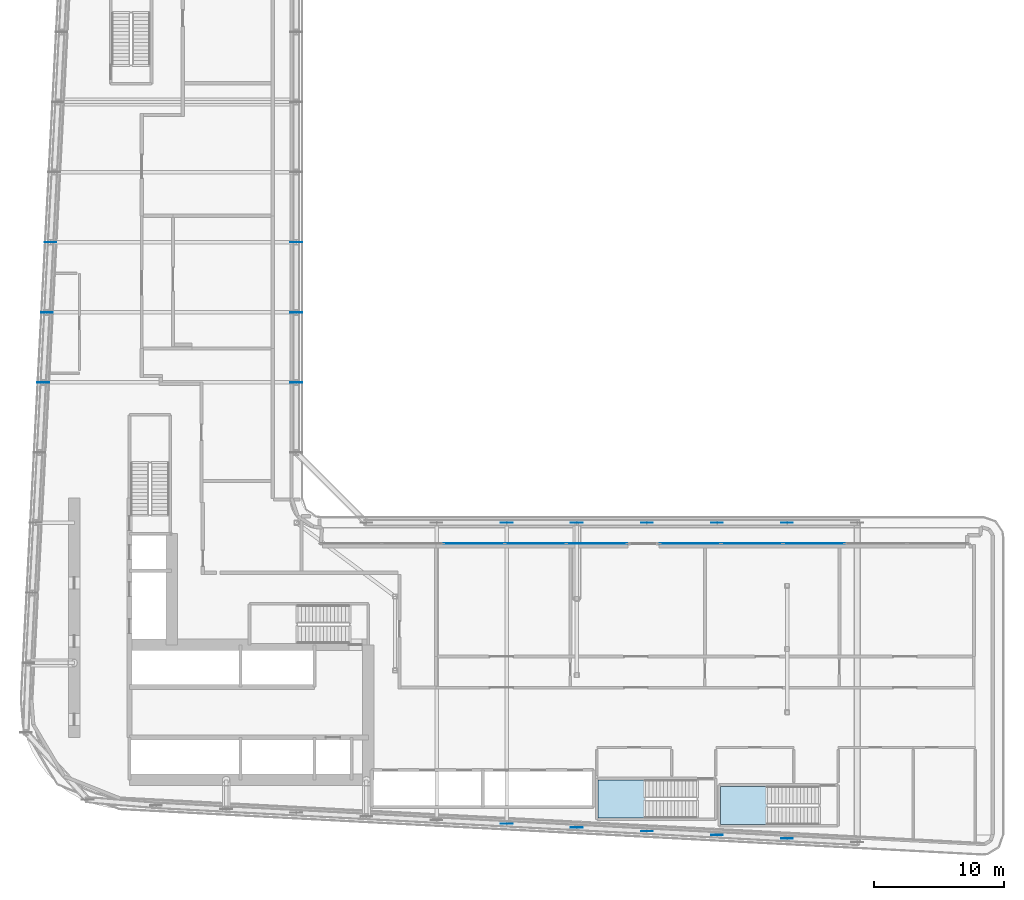
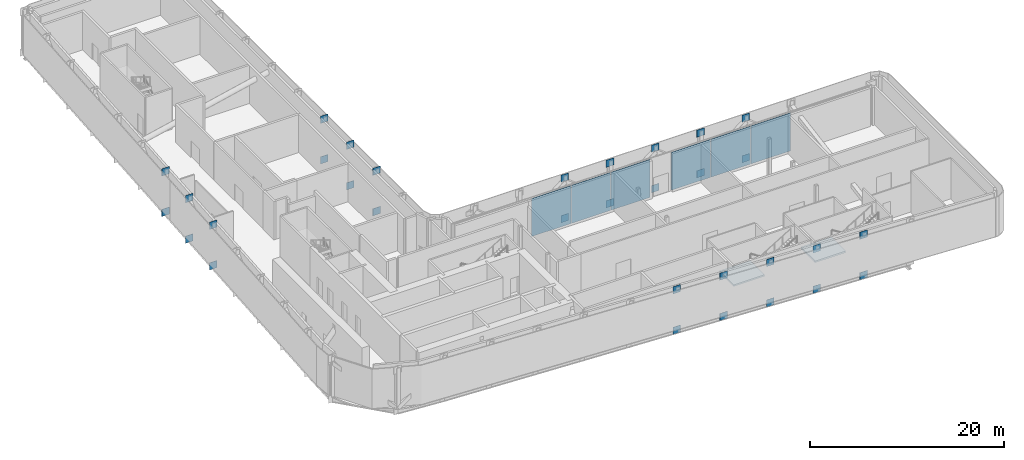
# One storey, part 12 of 30: 38 plates, 2 slabs, 4 elements without a shape of their own.
"""IFC4 building model written with IfcOpenShell, lengths in metres."""

from ifc_helpers import new_model, si_unit, direction, frame, origin, origin_2d, place, context, subcontext, project, spatial, polyline, rectangle, outline, extrude, material, layer, layer_set, type_object, element, aggregate, save


model = new_model("IFC4")

# Units and contexts
model_context = context("Model", 3, precision=1e-05, world=origin(), true_north=direction((0.0, 1.0)))
body_context = subcontext(model_context, "Body", "Model", "MODEL_VIEW")
ifc_project = project(units=[si_unit("LENGTHUNIT", "METRE"), si_unit("AREAUNIT", "SQUARE_METRE"), si_unit("VOLUMEUNIT", "CUBIC_METRE"), si_unit("PLANEANGLEUNIT", "RADIAN"), si_unit("MASSUNIT", "GRAM", prefix="KILO")], contexts=[model_context])

# Site, building, storey
site_placement = place(None, origin())
site = spatial("IfcSite", under=ifc_project, at=site_placement, CompositionType="ELEMENT")
building_placement = place(site_placement, origin())
building = spatial("IfcBuilding", under=site, at=building_placement, Name="Kheshtan School and Residences Tower", CompositionType="ELEMENT")
storey_placement = place(building_placement, frame((0.0, 0.0, 89.0)))
storey = spatial("IfcBuildingStorey", under=building, at=storey_placement, Name="L20", CompositionType="ELEMENT", Elevation=89.0)

# Curtain wall, plates
ifc_material_1 = material(Name="Clear low-e glass in thermally broken aluminium frame", Category="aluminium")
ifc_layer_1 = layer(ifc_material_1, 0.25)
ifc_layer_set_1 = layer_set([ifc_layer_1], Name="Curtain wall CW-G")
curtain_wall_type = type_object("IfcCurtainWallType", Name="Curtain wall CW-G", PredefinedType="NOTDEFINED", material=ifc_layer_set_1)
curtain_wall_1_placement = place(storey_placement, origin())
curtain_wall_1 = element("IfcCurtainWall", 1, at=curtain_wall_1_placement, inside=storey, type_object=curtain_wall_type, Name="Curtain wall CWG5b", PredefinedType="NOTDEFINED")
ifc_material_2 = material(Name="Insulated terracotta infill panel", Category="masonry")
ifc_layer_2 = layer(ifc_material_2, 0.0380859375)
ifc_layer_set_2 = layer_set([ifc_layer_2], Name="CW-G insulated infill panel")
plate_type_1 = type_object("IfcPlateType", Name="CW-G insulated infill panel", PredefinedType="CURTAIN_PANEL", material=ifc_layer_set_2)
plate_1_placement = place(storey_placement, frame((61.280029296875, 44.0, 0.0), z_axis=(0.0, 0.0, 1.0), x_axis=(1.0, 0.0, 0.0)))
plate_1 = element("IfcPlate", 2, at=plate_1_placement, type_object=plate_type_1, Name="CWG5b infill 3.1", PredefinedType="CURTAIN_PANEL", context=body_context, shape_type="SweptSolid", body=[
    extrude(rectangle(XDim=4.679931640625, YDim=0.0380859375, at=origin_2d()), origin(), (0.0, 0.0, 1.0), 4.7900390625),
])
plate_2_placement = place(storey_placement, frame((66.02001953125, 44.0, 0.0), z_axis=(0.0, 0.0, 1.0), x_axis=(1.0, 0.0, 0.0)))
plate_2 = element("IfcPlate", 3, at=plate_2_placement, type_object=plate_type_1, Name="CWG5b infill 4.1", PredefinedType="CURTAIN_PANEL", context=body_context, shape_type="SweptSolid", body=[
    extrude(rectangle(XDim=4.679931640625, YDim=0.0380859375, at=origin_2d()), origin(), (0.0, 0.0, 1.0), 4.7900390625),
])
plate_3_placement = place(storey_placement, frame((70.7451171875, 44.0, 0.0), z_axis=(0.0, 0.0, 1.0), x_axis=(1.0, 0.0, 0.0)))
plate_3 = element("IfcPlate", 4, at=plate_3_placement, type_object=plate_type_1, Name="CWG5b infill 5.1", PredefinedType="CURTAIN_PANEL", context=body_context, shape_type="SweptSolid", body=[
    extrude(rectangle(XDim=4.64990234375, YDim=0.0380859375, at=origin_2d()), origin(), (0.0, 0.0, 1.0), 4.7900390625),
])
aggregate(curtain_wall_1, [plate_1, plate_2, plate_3])

curtain_wall_2_placement = place(storey_placement, origin())
curtain_wall_2 = element("IfcCurtainWall", 5, at=curtain_wall_2_placement, inside=storey, type_object=curtain_wall_type, Name="Curtain wall CWG5c", PredefinedType="NOTDEFINED")
plate_4_placement = place(storey_placement, frame((77.931884765625, 44.0, 0.0), z_axis=(0.0, 0.0, 1.0), x_axis=(1.0, 0.0, 0.0)))
plate_4 = element("IfcPlate", 6, at=plate_4_placement, type_object=plate_type_1, Name="CWG5c infill 1.1", PredefinedType="CURTAIN_PANEL", context=body_context, shape_type="SweptSolid", body=[
    extrude(rectangle(XDim=4.68408203125, YDim=0.0380859375, at=origin_2d()), origin(), (0.0, 0.0, 1.0), 4.7900390625),
])
plate_5_placement = place(storey_placement, frame((82.69091796875, 44.0, 0.0), z_axis=(0.0, 0.0, 1.0), x_axis=(1.0, 0.0, 0.0)))
plate_5 = element("IfcPlate", 7, at=plate_5_placement, type_object=plate_type_1, Name="CWG5c infill 2.1", PredefinedType="CURTAIN_PANEL", context=body_context, shape_type="SweptSolid", body=[
    extrude(rectangle(XDim=4.714111328125, YDim=0.0380859375, at=origin_2d()), origin(), (0.0, 0.0, 1.0), 4.7900390625),
])
plate_6_placement = place(storey_placement, frame((87.465087890625, 44.0, 0.0), z_axis=(0.0, 0.0, 1.0), x_axis=(1.0, 0.0, 0.0)))
plate_6 = element("IfcPlate", 8, at=plate_6_placement, type_object=plate_type_1, Name="CWG5c infill 3.1", PredefinedType="CURTAIN_PANEL", context=body_context, shape_type="SweptSolid", body=[
    extrude(rectangle(XDim=4.714111328125, YDim=0.0380859375, at=origin_2d()), origin(), (0.0, 0.0, 1.0), 4.7900390625),
])
aggregate(curtain_wall_2, [plate_4, plate_5, plate_6])

# Plates
ifc_material_3 = material(Name="Steel ASTM A992 Grade 50", Category="steel")
ifc_layer_3 = layer(ifc_material_3, 0.02490234375)
ifc_layer_set_3 = layer_set([ifc_layer_3], Name="Gusset plate 25 Steel ASTM A992 Grade 50")
plate_type_2 = type_object("IfcPlateType", Name="Gusset plate 25 Steel ASTM A992 Grade 50", PredefinedType="SHEET", material=ifc_layer_set_3)
for number, where, z_axis, x_axis, name in (
    (9, (47.60009765625, 67.199951171875, 4.300048828125), (0.0, 0.0, 1.0), (1.0, 0.0, 0.0), "Gusset plate 14"),
    (10, (47.60009765625, 67.199951171875, -0.800048828125), (0.0, 0.0, 1.0), (1.0, 0.0, 0.0), "Gusset plate 15"),
    (11, (47.60009765625, 61.800048828125, 4.300048828125), (0.0, 0.0, 1.0), (1.0, 0.0, 0.0), "Gusset plate 16"),
    (12, (47.60009765625, 61.800048828125, -0.800048828125), (0.0, 0.0, 1.0), (1.0, 0.0, 0.0), "Gusset plate 17"),
    (13, (47.60009765625, 56.39990234375, 4.300048828125), (0.0, 0.0, 1.0), (1.0, 0.0, 0.0), "Gusset plate 18"),
    (14, (47.60009765625, 56.39990234375, -0.800048828125), (0.0, 0.0, 1.0), (1.0, 0.0, 0.0), "Gusset plate 19"),
    (15, (63.800048828125, 45.60009765625, 4.300048828125), (0.0, 0.0, 1.0), (1.0, 0.0, 0.0), "Gusset plate 26"),
    (16, (63.800048828125, 45.60009765625, -0.800048828125), (0.0, 0.0, 1.0), (1.0, 0.0, 0.0), "Gusset plate 27"),
    (17, (69.199951171875, 45.60009765625, 4.300048828125), (0.0, 0.0, 1.0), (1.0, 0.0, 0.0), "Gusset plate 28"),
    (18, (69.199951171875, 45.60009765625, -0.800048828125), (0.0, 0.0, 1.0), (1.0, 0.0, 0.0), "Gusset plate 29"),
    (19, (74.60009765625, 45.60009765625, 4.300048828125), (0.0, 0.0, 1.0), (1.0, 0.0, 0.0), "Gusset plate 30"),
    (20, (74.60009765625, 45.60009765625, -0.800048828125), (0.0, 0.0, 1.0), (1.0, 0.0, 0.0), "Gusset plate 31"),
    (21, (80.0, 45.60009765625, 4.300048828125), (0.0, 0.0, 1.0), (1.0, 0.0, 0.0), "Gusset plate 32"),
    (22, (80.0, 45.60009765625, -0.800048828125), (0.0, 0.0, 1.0), (1.0, 0.0, 0.0), "Gusset plate 33"),
    (23, (85.39990234375, 45.60009765625, 4.300048828125), (0.0, 0.0, 1.0), (1.0, 0.0, 0.0), "Gusset plate 34"),
    (24, (85.39990234375, 45.60009765625, -0.800048828125), (0.0, 0.0, 1.0), (1.0, 0.0, 0.0), "Gusset plate 35"),
    (25, (85.39990234375, 21.27392578125, 4.300048828125), (0.0, 0.0, 1.0), (1.0, 0.0, 0.0), "Gusset plate 40"),
    (26, (85.39990234375, 21.27392578125, -0.800048828125), (0.0, 0.0, 1.0), (1.0, 0.0, 0.0), "Gusset plate 41"),
    (27, (80.0, 21.55810546875, 4.300048828125), (0.0, 0.0, 1.0), (1.0, 0.0, 0.0), "Gusset plate 42"),
    (28, (80.0, 21.55810546875, -0.800048828125), (0.0, 0.0, 1.0), (1.0, 0.0, 0.0), "Gusset plate 43"),
    (29, (74.60009765625, 21.843017578125, 4.300048828125), (0.0, 0.0, 1.0), (1.0, 0.0, 0.0), "Gusset plate 44"),
    (30, (74.60009765625, 21.843017578125, -0.800048828125), (0.0, 0.0, 1.0), (1.0, 0.0, 0.0), "Gusset plate 45"),
    (31, (69.199951171875, 22.126953125, 4.300048828125), (0.0, 0.0, 1.0), (1.0, 0.0, 0.0), "Gusset plate 46"),
    (32, (69.199951171875, 22.126953125, -0.800048828125), (0.0, 0.0, 1.0), (1.0, 0.0, 0.0), "Gusset plate 47"),
    (33, (63.800048828125, 22.410888671875, 4.300048828125), (0.0, 0.0, 1.0), (1.0, 0.0, 0.0), "Gusset plate 48"),
    (34, (63.800048828125, 22.410888671875, -0.800048828125), (0.0, 0.0, 1.0), (1.0, 0.0, 0.0), "Gusset plate 49"),
    (35, (28.10595703125, 56.39990234375, 4.300048828125), (0.0, 0.0, 1.0), (1.0, 0.0, 0.0), "Gusset plate 72"),
    (36, (28.10595703125, 56.39990234375, -0.800048828125), (0.0, 0.0, 1.0), (1.0, 0.0, 0.0), "Gusset plate 73"),
    (37, (28.389892578125, 61.800048828125, 4.300048828125), (0.0, 0.0, 1.0), (1.0, 0.0, 0.0), "Gusset plate 74"),
    (38, (28.389892578125, 61.800048828125, -0.800048828125), (0.0, 0.0, 1.0), (1.0, 0.0, 0.0), "Gusset plate 75"),
    (39, (28.674072265625, 67.199951171875, 4.300048828125), (0.0, 0.0, 1.0), (1.0, 0.0, 0.0), "Gusset plate 76"),
    (40, (28.674072265625, 67.199951171875, -0.800048828125), (0.0, 0.0, 1.0), (1.0, 0.0, 0.0), "Gusset plate 77"),
):
    element("IfcPlate", number, at=place(storey_placement, frame(where, z_axis=z_axis, x_axis=x_axis)), inside=storey, type_object=plate_type_2, Name=name, PredefinedType="SHEET", context=body_context, shape_type="SweptSolid", body=[
        extrude(rectangle(XDim=0.89990234375, YDim=0.02490234375, at=origin_2d()), origin(), (0.0, 0.0, 1.0), 0.89990234375),
    ])

# Stair, slab
ifc_material_4 = material(Name="Concrete C40/50", Category="concrete")
stair_type = type_object("IfcStairType", Name="Exit stair, half-turn", PredefinedType="HALF_TURN_STAIR", material=ifc_material_4)
stair_1_placement = place(storey_placement, origin())
stair_1 = element("IfcStair", 41, at=stair_1_placement, inside=storey, type_object=stair_type, Name="L20 Protected Exit Stair ST4", PredefinedType="HALF_TURN_STAIR")
ifc_layer_4 = layer(ifc_material_4, 0.199951171875)
ifc_layer_set_4 = layer_set([ifc_layer_4], Name="Stair landing 200 Concrete C40/50")
slab_type = type_object("IfcSlabType", Name="Stair landing 200 Concrete C40/50", PredefinedType="LANDING", material=ifc_layer_set_4)
slab_1_placement = place(storey_placement, frame((0.0, 0.0, 2.35009765625)))
slab_1 = element("IfcSlab", 42, at=slab_1_placement, type_object=slab_type, Name="ST4 landing 1", PredefinedType="LANDING", context=body_context, shape_type="SweptSolid", body=[
    extrude(outline(polyline([(83.89990234375, 25.300048828125), (80.260009765625, 25.300048828125), (80.260009765625, 22.35009765625), (83.89990234375, 22.35009765625), (83.89990234375, 25.300048828125)])), origin(), (0.0, 0.0, 1.0), 0.199951171875),
])
aggregate(stair_1, [slab_1])

stair_2_placement = place(storey_placement, origin())
stair_2 = element("IfcStair", 43, at=stair_2_placement, inside=storey, type_object=stair_type, Name="L20 Protected Exit Stair ST5", PredefinedType="HALF_TURN_STAIR")
slab_2_placement = place(storey_placement, frame((0.0, 0.0, 2.35009765625)))
slab_2 = element("IfcSlab", 44, at=slab_2_placement, type_object=slab_type, Name="ST5 landing 1", PredefinedType="LANDING", context=body_context, shape_type="SweptSolid", body=[
    extrude(outline(polyline([(74.489990234375, 25.800048828125), (70.85009765625, 25.800048828125), (70.85009765625, 22.85009765625), (74.489990234375, 22.85009765625), (74.489990234375, 25.800048828125)])), origin(), (0.0, 0.0, 1.0), 0.199951171875),
])
aggregate(stair_2, [slab_2])

save(model, "model.ifc")
